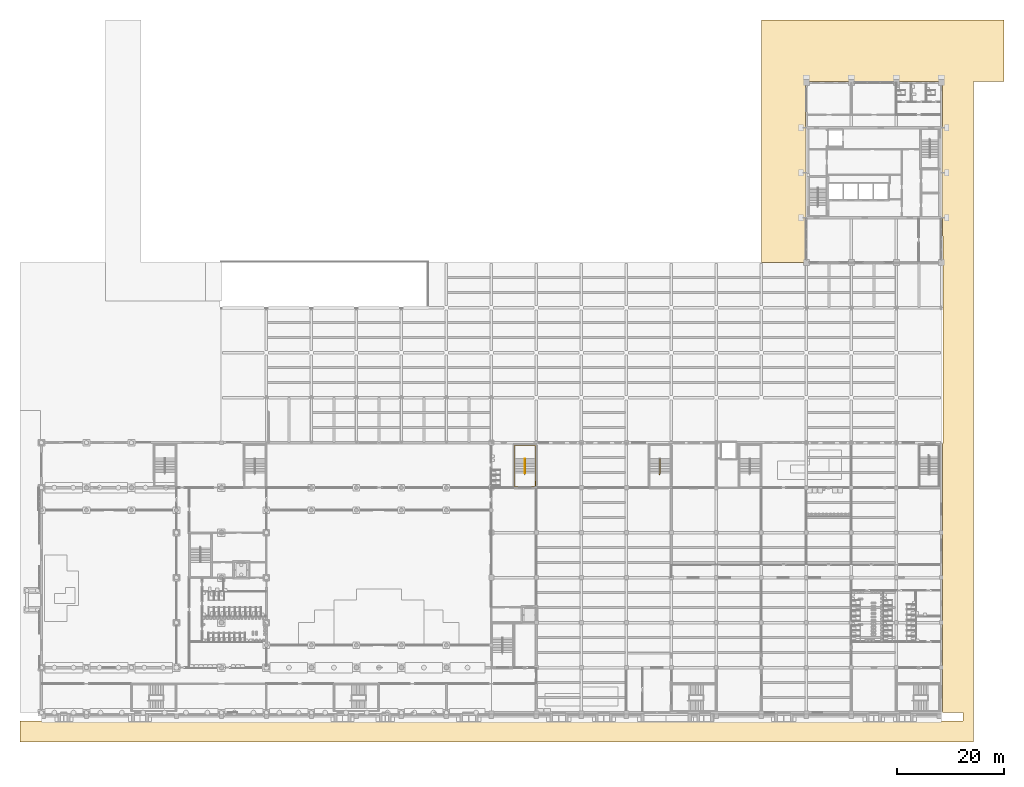
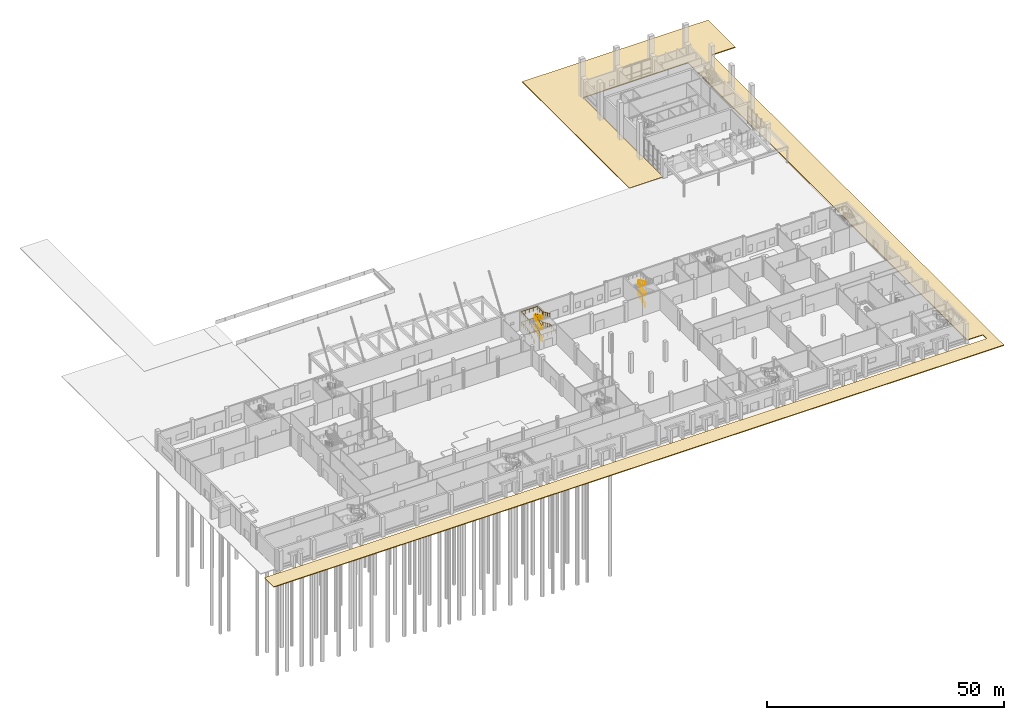
# One storey, part 64 of 74: 7 railings, 1 covering.
"""IFC4 building model written with IfcOpenShell, lengths in metres."""

from ifc_helpers import new_model, si_unit, direction, frame, origin, origin_2d, place, context, subcontext, project, spatial, polyline, circle, outline, extrude, material, layer, layer_set, type_object, element, save


model = new_model("IFC4")

# Units and contexts
model_context = context("Model", 3, precision=1e-05, world=origin(), true_north=direction((0.0, 1.0)))
body_context = subcontext(model_context, "Body", "Model", "MODEL_VIEW")
ifc_project = project(units=[si_unit("LENGTHUNIT", "METRE"), si_unit("AREAUNIT", "SQUARE_METRE"), si_unit("VOLUMEUNIT", "CUBIC_METRE"), si_unit("PLANEANGLEUNIT", "RADIAN"), si_unit("MASSUNIT", "GRAM", prefix="KILO")], contexts=[model_context])

# Site, building, storey
site_placement = place(None, origin())
site = spatial("IfcSite", under=ifc_project, at=site_placement, CompositionType="ELEMENT")
building_placement = place(site_placement, origin())
building = spatial("IfcBuilding", under=site, at=building_placement, Name="Rulbaag Community and Learning Centre", CompositionType="ELEMENT")
storey_placement = place(building_placement, origin())
storey = spatial("IfcBuildingStorey", under=building, at=storey_placement, Name="L00", CompositionType="ELEMENT", Elevation=0.0)

# Railings
ifc_material_1 = material(Name="Galvanised mild steel", Category="steel")
railing_type_1 = type_object("IfcRailingType", Name="GR-1100 GUARD 1100", PredefinedType="GUARDRAIL", material=ifc_material_1)
railing_1_placement = place(storey_placement, frame((90.280029296875, 44.71240234375, 0.135009765625)))
element("IfcRailing", 1, at=railing_1_placement, inside=storey, type_object=railing_type_1, Name="Guard SH6 L00 G", PredefinedType="GUARDRAIL", context=body_context, shape_type="SweptSolid", body=[
    extrude(circle(Radius=0.02490234375, at=origin_2d()), frame((0.0, 0.0, 1.0751953125), z_axis=(0.0, 0.911921505175, 0.410364677329), x_axis=(-1.0, 0.0, 0.0)), (0.0, 0.0, 1.0), 2.9609375),
    extrude(circle(Radius=0.02001953125, at=origin_2d()), origin(), (0.0, 0.0, 1.0), 1.050048828125),
    extrude(circle(Radius=0.02001953125, at=origin_2d()), frame((0.0, 0.900146484375, 0.405029296875)), (0.0, 0.0, 1.0), 1.050048828125),
    extrude(circle(Radius=0.02001953125, at=origin_2d()), frame((0.0, 1.800048828125, 0.81005859375)), (0.0, 0.0, 1.0), 1.050048828125),
    extrude(circle(Radius=0.02001953125, at=origin_2d()), frame((0.0, 2.7001953125, 1.215087890625)), (0.0, 0.0, 1.0), 1.050048828125),
    extrude(outline(polyline([(0.0, 0.0), (2.7001953125, 1.215087890625), (2.7001953125, 2.1650390625), (0.0, 0.949951171875), (0.0, 0.0)])), frame((-0.0048828125, 0.0, 0.10009765625), z_axis=(1.0, 0.0, 0.0), x_axis=(0.0, 1.0, 0.0)), (0.0, 0.0, 1.0), 0.010009765625),
])
railing_2_placement = place(storey_placement, frame((90.320068359375, 47.41259765625, 1.485107421875)))
element("IfcRailing", 2, at=railing_2_placement, inside=storey, type_object=railing_type_1, Name="Guard SH6 L00 G2", PredefinedType="GUARDRAIL", context=body_context, shape_type="SweptSolid", body=[
    extrude(circle(Radius=0.02490234375, at=origin_2d()), frame((0.0, 0.0, 1.0751953125), z_axis=(0.0, -0.91195235894, 0.410296106518), x_axis=(1.0, 0.0, 0.0)), (0.0, 0.0, 1.0), 2.9609375),
    extrude(circle(Radius=0.02001953125, at=origin_2d()), origin(), (0.0, 0.0, 1.0), 1.050048828125),
    extrude(circle(Radius=0.02001953125, at=origin_2d()), frame((0.0, -0.900146484375, 0.405029296875)), (0.0, 0.0, 1.0), 1.050048828125),
    extrude(circle(Radius=0.02001953125, at=origin_2d()), frame((0.0, -1.800048828125, 0.809814453125)), (0.0, 0.0, 1.0), 1.050048828125),
    extrude(circle(Radius=0.02001953125, at=origin_2d()), frame((0.0, -2.7001953125, 1.21484375)), (0.0, 0.0, 1.0), 1.050048828125),
    extrude(outline(polyline([(0.0, 0.0), (2.7001953125, 1.21484375), (2.7001953125, 2.164794921875), (0.0, 0.949951171875), (0.0, 0.0)])), frame((0.0048828125, 0.0, 0.10009765625), z_axis=(-1.0, 0.0, 0.0), x_axis=(0.0, -1.0, 0.0)), (0.0, 0.0, 1.0), 0.010009765625),
])
railing_3_placement = place(storey_placement, frame((90.280029296875, 44.71240234375, 2.8349609375)))
element("IfcRailing", 3, at=railing_3_placement, inside=storey, type_object=railing_type_1, Name="Guard SH6 L00 G3", PredefinedType="GUARDRAIL", context=body_context, shape_type="SweptSolid", body=[
    extrude(circle(Radius=0.02490234375, at=origin_2d()), frame((0.0, 0.0, 1.0751953125), z_axis=(0.0, 0.911921505175, 0.410364677329), x_axis=(-1.0, 0.0, 0.0)), (0.0, 0.0, 1.0), 2.9609375),
    extrude(circle(Radius=0.02001953125, at=origin_2d()), origin(), (0.0, 0.0, 1.0), 1.050048828125),
    extrude(circle(Radius=0.02001953125, at=origin_2d()), frame((0.0, 0.900146484375, 0.405029296875)), (0.0, 0.0, 1.0), 1.050048828125),
    extrude(circle(Radius=0.02001953125, at=origin_2d()), frame((0.0, 1.800048828125, 0.81005859375)), (0.0, 0.0, 1.0), 1.050048828125),
    extrude(circle(Radius=0.02001953125, at=origin_2d()), frame((0.0, 2.7001953125, 1.215087890625)), (0.0, 0.0, 1.0), 1.050048828125),
    extrude(outline(polyline([(0.0, 0.0), (2.7001953125, 1.215087890625), (2.7001953125, 2.1650390625), (0.0, 0.949951171875), (0.0, 0.0)])), frame((-0.0048828125, 0.0, 0.10009765625), z_axis=(1.0, 0.0, 0.0), x_axis=(0.0, 1.0, 0.0)), (0.0, 0.0, 1.0), 0.010009765625),
])
railing_4_placement = place(storey_placement, frame((90.320068359375, 47.41259765625, 4.18505859375)))
element("IfcRailing", 4, at=railing_4_placement, inside=storey, type_object=railing_type_1, Name="Guard SH6 L00 G4", PredefinedType="GUARDRAIL", context=body_context, shape_type="SweptSolid", body=[
    extrude(circle(Radius=0.02490234375, at=origin_2d()), frame((0.0, 0.0, 1.0751953125), z_axis=(0.0, -0.91195235894, 0.410296106518), x_axis=(1.0, 0.0, 0.0)), (0.0, 0.0, 1.0), 2.9609375),
    extrude(circle(Radius=0.02001953125, at=origin_2d()), origin(), (0.0, 0.0, 1.0), 1.050048828125),
    extrude(circle(Radius=0.02001953125, at=origin_2d()), frame((0.0, -0.900146484375, 0.405029296875)), (0.0, 0.0, 1.0), 1.050048828125),
    extrude(circle(Radius=0.02001953125, at=origin_2d()), frame((0.0, -1.800048828125, 0.809814453125)), (0.0, 0.0, 1.0), 1.050048828125),
    extrude(circle(Radius=0.02001953125, at=origin_2d()), frame((0.0, -2.7001953125, 1.21484375)), (0.0, 0.0, 1.0), 1.050048828125),
    extrude(outline(polyline([(0.0, 0.0), (2.7001953125, 1.21484375), (2.7001953125, 2.164794921875), (0.0, 0.949951171875), (0.0, 0.0)])), frame((0.0048828125, 0.0, 0.10009765625), z_axis=(-1.0, 0.0, 0.0), x_axis=(0.0, -1.0, 0.0)), (0.0, 0.0, 1.0), 0.010009765625),
])
ifc_material_2 = material(Name="Stainless steel grade 316", Category="steel")
railing_type_2 = type_object("IfcRailingType", Name="HR-900 HANDRAIL 900", PredefinedType="HANDRAIL", material=ifc_material_2)
railing_5_placement = place(storey_placement, frame((88.360107421875, 44.41259765625, 0.0)))
element("IfcRailing", 5, at=railing_5_placement, inside=storey, type_object=railing_type_2, Name="Handrail SH6 L00 O", PredefinedType="HANDRAIL", context=body_context, shape_type="SweptSolid", body=[
    extrude(circle(Radius=0.024169921875, at=origin_2d()), frame((0.0, 0.0, 0.875732421875), z_axis=(0.0, 0.911810325798, 0.41061165323), x_axis=(-1.0, 0.0, 0.0)), (0.0, 0.0, 1.0), 0.328857421875),
    extrude(circle(Radius=0.024169921875, at=origin_2d()), frame((0.0, 0.2998046875, 1.0107421875), z_axis=(0.0, 0.911921505175, 0.410364677329), x_axis=(-1.0, 0.0, 0.0)), (0.0, 0.0, 1.0), 2.9609375),
    extrude(circle(Radius=0.024169921875, at=origin_2d()), frame((0.0, 3.0, 2.225830078125), z_axis=(0.0, 1.0, 0.0), x_axis=(-1.0, 0.0, 0.0)), (0.0, 0.0, 1.0), 2.552490234375),
    extrude(circle(Radius=0.024169921875, at=origin_2d()), frame((0.0, 5.552490234375, 2.225830078125), z_axis=(1.0, 0.0, 0.0), x_axis=(0.0, 1.0, 0.0)), (0.0, 0.0, 1.0), 3.8798828125),
    extrude(circle(Radius=0.024169921875, at=origin_2d()), frame((3.8798828125, 5.552490234375, 2.225830078125), z_axis=(0.0, -1.0, 0.0), x_axis=(1.0, 0.0, 0.0)), (0.0, 0.0, 1.0), 2.252685546875),
    extrude(circle(Radius=0.024169921875, at=origin_2d()), frame((3.8798828125, 3.2998046875, 2.225830078125), z_axis=(0.0, -0.911810325798, 0.41061165323), x_axis=(1.0, 0.0, 0.0)), (0.0, 0.0, 1.0), 0.328857421875),
    extrude(circle(Radius=0.024169921875, at=origin_2d()), frame((3.8798828125, 3.0, 2.36083984375), z_axis=(0.0, -0.91195235894, 0.410296106518), x_axis=(1.0, 0.0, 0.0)), (0.0, 0.0, 1.0), 2.9609375),
    extrude(circle(Radius=0.024169921875, at=origin_2d()), frame((3.8798828125, 0.2998046875, 3.57568359375), z_axis=(0.0, -1.0, 0.0), x_axis=(1.0, 0.0, 0.0)), (0.0, 0.0, 1.0), 2.552490234375),
    extrude(circle(Radius=0.024169921875, at=origin_2d()), frame((3.8798828125, -2.252685546875, 3.57568359375), z_axis=(-1.0, 0.0, 0.0), x_axis=(0.0, -1.0, 0.0)), (0.0, 0.0, 1.0), 3.8798828125),
    extrude(circle(Radius=0.024169921875, at=origin_2d()), frame((0.0, -2.252685546875, 3.57568359375), z_axis=(0.0, 1.0, 0.0), x_axis=(-1.0, 0.0, 0.0)), (0.0, 0.0, 1.0), 2.252685546875),
    extrude(circle(Radius=0.024169921875, at=origin_2d()), frame((0.0, 0.0, 3.57568359375), z_axis=(0.0, 0.911810325798, 0.41061165323), x_axis=(-1.0, 0.0, 0.0)), (0.0, 0.0, 1.0), 0.328857421875),
    extrude(circle(Radius=0.024169921875, at=origin_2d()), frame((0.0, 0.2998046875, 3.710693359375), z_axis=(0.0, 0.911921505175, 0.410364677329), x_axis=(-1.0, 0.0, 0.0)), (0.0, 0.0, 1.0), 2.9609375),
    extrude(circle(Radius=0.024169921875, at=origin_2d()), frame((0.0, 3.0, 4.92578125), z_axis=(0.0, 1.0, 0.0), x_axis=(-1.0, 0.0, 0.0)), (0.0, 0.0, 1.0), 2.552490234375),
    extrude(circle(Radius=0.024169921875, at=origin_2d()), frame((0.0, 5.552490234375, 4.92578125), z_axis=(1.0, 0.0, 0.0), x_axis=(0.0, 1.0, 0.0)), (0.0, 0.0, 1.0), 3.8798828125),
    extrude(circle(Radius=0.024169921875, at=origin_2d()), frame((3.8798828125, 5.552490234375, 4.92578125), z_axis=(0.0, -1.0, 0.0), x_axis=(1.0, 0.0, 0.0)), (0.0, 0.0, 1.0), 2.252685546875),
    extrude(circle(Radius=0.024169921875, at=origin_2d()), frame((3.8798828125, 3.2998046875, 4.92578125), z_axis=(0.0, -0.911810325798, 0.41061165323), x_axis=(1.0, 0.0, 0.0)), (0.0, 0.0, 1.0), 0.328857421875),
    extrude(circle(Radius=0.024169921875, at=origin_2d()), frame((3.8798828125, 3.0, 5.060791015625), z_axis=(0.0, -0.91195235894, 0.410296106518), x_axis=(1.0, 0.0, 0.0)), (0.0, 0.0, 1.0), 2.9609375),
    extrude(circle(Radius=0.008056640625, at=origin_2d()), origin(), (0.0, 0.0, 1.0), 0.8515625),
    extrude(circle(Radius=0.008056640625, at=origin_2d()), frame((0.0, 0.2998046875, 0.135009765625)), (0.0, 0.0, 1.0), 0.8515625),
    extrude(circle(Radius=0.008056640625, at=origin_2d()), frame((0.0, 1.199951171875, 0.5400390625)), (0.0, 0.0, 1.0), 0.8515625),
    extrude(circle(Radius=0.008056640625, at=origin_2d()), frame((0.0, 2.099853515625, 0.945068359375)), (0.0, 0.0, 1.0), 0.8515625),
    extrude(circle(Radius=0.008056640625, at=origin_2d()), frame((0.0, 3.0, 1.35009765625)), (0.0, 0.0, 1.0), 0.8515625),
    extrude(circle(Radius=0.008056640625, at=origin_2d()), frame((0.0, 3.850830078125, 1.35009765625)), (0.0, 0.0, 1.0), 0.8515625),
    extrude(circle(Radius=0.008056640625, at=origin_2d()), frame((0.0, 4.70166015625, 1.35009765625)), (0.0, 0.0, 1.0), 0.8515625),
    extrude(circle(Radius=0.008056640625, at=origin_2d()), frame((0.0, 5.552490234375, 1.35009765625)), (0.0, 0.0, 1.0), 0.8515625),
    extrude(circle(Radius=0.008056640625, at=origin_2d()), frame((0.969970703125, 5.552490234375, 1.35009765625)), (0.0, 0.0, 1.0), 0.8515625),
    extrude(circle(Radius=0.008056640625, at=origin_2d()), frame((1.93994140625, 5.552490234375, 1.35009765625)), (0.0, 0.0, 1.0), 0.8515625),
    extrude(circle(Radius=0.008056640625, at=origin_2d()), frame((2.909912109375, 5.552490234375, 1.35009765625)), (0.0, 0.0, 1.0), 0.8515625),
    extrude(circle(Radius=0.008056640625, at=origin_2d()), frame((3.8798828125, 5.552490234375, 1.35009765625)), (0.0, 0.0, 1.0), 0.8515625),
    extrude(circle(Radius=0.008056640625, at=origin_2d()), frame((3.8798828125, 4.42626953125, 1.35009765625)), (0.0, 0.0, 1.0), 0.8515625),
    extrude(circle(Radius=0.008056640625, at=origin_2d()), frame((3.8798828125, 3.2998046875, 1.35009765625)), (0.0, 0.0, 1.0), 0.8515625),
    extrude(circle(Radius=0.008056640625, at=origin_2d()), frame((3.8798828125, 3.0, 1.485107421875)), (0.0, 0.0, 1.0), 0.8515625),
    extrude(circle(Radius=0.008056640625, at=origin_2d()), frame((3.8798828125, 2.099853515625, 1.89013671875)), (0.0, 0.0, 1.0), 0.8515625),
    extrude(circle(Radius=0.008056640625, at=origin_2d()), frame((3.8798828125, 1.199951171875, 2.294921875)), (0.0, 0.0, 1.0), 0.8515625),
    extrude(circle(Radius=0.008056640625, at=origin_2d()), frame((3.8798828125, 0.2998046875, 2.699951171875)), (0.0, 0.0, 1.0), 0.8515625),
    extrude(circle(Radius=0.008056640625, at=origin_2d()), frame((3.8798828125, -0.551025390625, 2.699951171875)), (0.0, 0.0, 1.0), 0.8515625),
    extrude(circle(Radius=0.008056640625, at=origin_2d()), frame((3.8798828125, -1.40185546875, 2.699951171875)), (0.0, 0.0, 1.0), 0.8515625),
    extrude(circle(Radius=0.008056640625, at=origin_2d()), frame((3.8798828125, -2.252685546875, 2.699951171875)), (0.0, 0.0, 1.0), 0.8515625),
    extrude(circle(Radius=0.008056640625, at=origin_2d()), frame((2.909912109375, -2.252685546875, 2.699951171875)), (0.0, 0.0, 1.0), 0.8515625),
    extrude(circle(Radius=0.008056640625, at=origin_2d()), frame((1.93994140625, -2.252685546875, 2.699951171875)), (0.0, 0.0, 1.0), 0.8515625),
    extrude(circle(Radius=0.008056640625, at=origin_2d()), frame((0.969970703125, -2.252685546875, 2.699951171875)), (0.0, 0.0, 1.0), 0.8515625),
    extrude(circle(Radius=0.008056640625, at=origin_2d()), frame((0.0, -2.252685546875, 2.699951171875)), (0.0, 0.0, 1.0), 0.8515625),
    extrude(circle(Radius=0.008056640625, at=origin_2d()), frame((0.0, -1.12646484375, 2.699951171875)), (0.0, 0.0, 1.0), 0.8515625),
    extrude(circle(Radius=0.008056640625, at=origin_2d()), frame((0.0, 0.0, 2.699951171875)), (0.0, 0.0, 1.0), 0.8515625),
    extrude(circle(Radius=0.008056640625, at=origin_2d()), frame((0.0, 0.2998046875, 2.8349609375)), (0.0, 0.0, 1.0), 0.8515625),
    extrude(circle(Radius=0.008056640625, at=origin_2d()), frame((0.0, 1.199951171875, 3.239990234375)), (0.0, 0.0, 1.0), 0.8515625),
    extrude(circle(Radius=0.008056640625, at=origin_2d()), frame((0.0, 2.099853515625, 3.64501953125)), (0.0, 0.0, 1.0), 0.8515625),
    extrude(circle(Radius=0.008056640625, at=origin_2d()), frame((0.0, 3.0, 4.050048828125)), (0.0, 0.0, 1.0), 0.8515625),
    extrude(circle(Radius=0.008056640625, at=origin_2d()), frame((0.0, 3.850830078125, 4.050048828125)), (0.0, 0.0, 1.0), 0.8515625),
    extrude(circle(Radius=0.008056640625, at=origin_2d()), frame((0.0, 4.70166015625, 4.050048828125)), (0.0, 0.0, 1.0), 0.8515625),
    extrude(circle(Radius=0.008056640625, at=origin_2d()), frame((0.0, 5.552490234375, 4.050048828125)), (0.0, 0.0, 1.0), 0.8515625),
    extrude(circle(Radius=0.008056640625, at=origin_2d()), frame((0.969970703125, 5.552490234375, 4.050048828125)), (0.0, 0.0, 1.0), 0.8515625),
    extrude(circle(Radius=0.008056640625, at=origin_2d()), frame((1.93994140625, 5.552490234375, 4.050048828125)), (0.0, 0.0, 1.0), 0.8515625),
    extrude(circle(Radius=0.008056640625, at=origin_2d()), frame((2.909912109375, 5.552490234375, 4.050048828125)), (0.0, 0.0, 1.0), 0.8515625),
    extrude(circle(Radius=0.008056640625, at=origin_2d()), frame((3.8798828125, 5.552490234375, 4.050048828125)), (0.0, 0.0, 1.0), 0.8515625),
    extrude(circle(Radius=0.008056640625, at=origin_2d()), frame((3.8798828125, 4.42626953125, 4.050048828125)), (0.0, 0.0, 1.0), 0.8515625),
    extrude(circle(Radius=0.008056640625, at=origin_2d()), frame((3.8798828125, 3.2998046875, 4.050048828125)), (0.0, 0.0, 1.0), 0.8515625),
    extrude(circle(Radius=0.008056640625, at=origin_2d()), frame((3.8798828125, 3.0, 4.18505859375)), (0.0, 0.0, 1.0), 0.8515625),
    extrude(circle(Radius=0.008056640625, at=origin_2d()), frame((3.8798828125, 2.099853515625, 4.590087890625)), (0.0, 0.0, 1.0), 0.8515625),
    extrude(circle(Radius=0.008056640625, at=origin_2d()), frame((3.8798828125, 1.199951171875, 4.994873046875)), (0.0, 0.0, 1.0), 0.8515625),
    extrude(circle(Radius=0.008056640625, at=origin_2d()), frame((3.8798828125, 0.2998046875, 5.39990234375)), (0.0, 0.0, 1.0), 0.8515625),
])
railing_6_placement = place(storey_placement, frame((90.2099609375, 44.41259765625, 0.0)))
element("IfcRailing", 6, at=railing_6_placement, inside=storey, type_object=railing_type_2, Name="Handrail SH6 L00 I", PredefinedType="HANDRAIL", context=body_context, shape_type="SweptSolid", body=[
    extrude(circle(Radius=0.024169921875, at=origin_2d()), frame((0.0, 0.0, 0.875732421875), z_axis=(0.0, 0.911810325798, 0.41061165323), x_axis=(-1.0, 0.0, 0.0)), (0.0, 0.0, 1.0), 0.328857421875),
    extrude(circle(Radius=0.024169921875, at=origin_2d()), frame((0.0, 0.2998046875, 1.0107421875), z_axis=(0.0, 0.911921505175, 0.410364677329), x_axis=(-1.0, 0.0, 0.0)), (0.0, 0.0, 1.0), 2.9609375),
    extrude(circle(Radius=0.024169921875, at=origin_2d()), frame((0.0, 3.0, 2.225830078125), z_axis=(0.79986974456, 0.0, 0.600173634657), x_axis=(0.0, 1.0, 0.0)), (0.0, 0.0, 1.0), 0.224853515625),
    extrude(circle(Radius=0.024169921875, at=origin_2d()), frame((0.179931640625, 3.0, 2.36083984375), z_axis=(0.0, -0.91195235894, 0.410296106518), x_axis=(1.0, 0.0, 0.0)), (0.0, 0.0, 1.0), 2.9609375),
    extrude(circle(Radius=0.024169921875, at=origin_2d()), frame((0.179931640625, 0.2998046875, 3.57568359375), z_axis=(-0.79986974456, 0.0, 0.600173634657), x_axis=(0.0, -1.0, 0.0)), (0.0, 0.0, 1.0), 0.224853515625),
    extrude(circle(Radius=0.024169921875, at=origin_2d()), frame((0.0, 0.2998046875, 3.710693359375), z_axis=(0.0, 0.911921505175, 0.410364677329), x_axis=(-1.0, 0.0, 0.0)), (0.0, 0.0, 1.0), 2.9609375),
    extrude(circle(Radius=0.024169921875, at=origin_2d()), frame((0.0, 3.0, 4.92578125), z_axis=(0.79986974456, 0.0, 0.600173634657), x_axis=(0.0, 1.0, 0.0)), (0.0, 0.0, 1.0), 0.224853515625),
    extrude(circle(Radius=0.024169921875, at=origin_2d()), frame((0.179931640625, 3.0, 5.060791015625), z_axis=(0.0, -0.91195235894, 0.410296106518), x_axis=(1.0, 0.0, 0.0)), (0.0, 0.0, 1.0), 2.9609375),
    extrude(circle(Radius=0.008056640625, at=origin_2d()), origin(), (0.0, 0.0, 1.0), 0.8515625),
    extrude(circle(Radius=0.008056640625, at=origin_2d()), frame((0.0, 0.2998046875, 0.135009765625)), (0.0, 0.0, 1.0), 0.8515625),
    extrude(circle(Radius=0.008056640625, at=origin_2d()), frame((0.0, 1.199951171875, 0.5400390625)), (0.0, 0.0, 1.0), 0.8515625),
    extrude(circle(Radius=0.008056640625, at=origin_2d()), frame((0.0, 2.099853515625, 0.945068359375)), (0.0, 0.0, 1.0), 0.8515625),
    extrude(circle(Radius=0.008056640625, at=origin_2d()), frame((0.0, 3.0, 1.35009765625)), (0.0, 0.0, 1.0), 0.8515625),
    extrude(circle(Radius=0.008056640625, at=origin_2d()), frame((0.179931640625, 3.0, 1.485107421875)), (0.0, 0.0, 1.0), 0.8515625),
    extrude(circle(Radius=0.008056640625, at=origin_2d()), frame((0.179931640625, 2.099853515625, 1.89013671875)), (0.0, 0.0, 1.0), 0.8515625),
    extrude(circle(Radius=0.008056640625, at=origin_2d()), frame((0.179931640625, 1.199951171875, 2.294921875)), (0.0, 0.0, 1.0), 0.8515625),
    extrude(circle(Radius=0.008056640625, at=origin_2d()), frame((0.179931640625, 0.2998046875, 2.699951171875)), (0.0, 0.0, 1.0), 0.8515625),
    extrude(circle(Radius=0.008056640625, at=origin_2d()), frame((0.0, 0.2998046875, 2.8349609375)), (0.0, 0.0, 1.0), 0.8515625),
    extrude(circle(Radius=0.008056640625, at=origin_2d()), frame((0.0, 1.199951171875, 3.239990234375)), (0.0, 0.0, 1.0), 0.8515625),
    extrude(circle(Radius=0.008056640625, at=origin_2d()), frame((0.0, 2.099853515625, 3.64501953125)), (0.0, 0.0, 1.0), 0.8515625),
    extrude(circle(Radius=0.008056640625, at=origin_2d()), frame((0.0, 3.0, 4.050048828125)), (0.0, 0.0, 1.0), 0.8515625),
    extrude(circle(Radius=0.008056640625, at=origin_2d()), frame((0.179931640625, 3.0, 4.18505859375)), (0.0, 0.0, 1.0), 0.8515625),
    extrude(circle(Radius=0.008056640625, at=origin_2d()), frame((0.179931640625, 2.099853515625, 4.590087890625)), (0.0, 0.0, 1.0), 0.8515625),
    extrude(circle(Radius=0.008056640625, at=origin_2d()), frame((0.179931640625, 1.199951171875, 4.994873046875)), (0.0, 0.0, 1.0), 0.8515625),
    extrude(circle(Radius=0.008056640625, at=origin_2d()), frame((0.179931640625, 0.2998046875, 5.39990234375)), (0.0, 0.0, 1.0), 0.8515625),
])
railing_7_placement = place(storey_placement, frame((115.409912109375, 44.41259765625, 0.0)))
element("IfcRailing", 7, at=railing_7_placement, inside=storey, type_object=railing_type_2, Name="Handrail SH7 L00 I", PredefinedType="HANDRAIL", context=body_context, shape_type="SweptSolid", body=[
    extrude(circle(Radius=0.024169921875, at=origin_2d()), frame((0.0, 0.0, 0.875732421875), z_axis=(0.0, 0.911810325798, 0.41061165323), x_axis=(-1.0, 0.0, 0.0)), (0.0, 0.0, 1.0), 0.328857421875),
    extrude(circle(Radius=0.024169921875, at=origin_2d()), frame((0.0, 0.2998046875, 1.0107421875), z_axis=(0.0, 0.911921505175, 0.410364677329), x_axis=(-1.0, 0.0, 0.0)), (0.0, 0.0, 1.0), 2.9609375),
    extrude(circle(Radius=0.024169921875, at=origin_2d()), frame((0.0, 3.0, 2.225830078125), z_axis=(0.800260171956, 0.0, 0.599652947279), x_axis=(0.0, 1.0, 0.0)), (0.0, 0.0, 1.0), 0.22509765625),
    extrude(circle(Radius=0.024169921875, at=origin_2d()), frame((0.18017578125, 3.0, 2.36083984375), z_axis=(0.0, -0.91195235894, 0.410296106518), x_axis=(1.0, 0.0, 0.0)), (0.0, 0.0, 1.0), 2.9609375),
    extrude(circle(Radius=0.024169921875, at=origin_2d()), frame((0.18017578125, 0.2998046875, 3.57568359375), z_axis=(-0.800260171956, 0.0, 0.599652947279), x_axis=(0.0, -1.0, 0.0)), (0.0, 0.0, 1.0), 0.22509765625),
    extrude(circle(Radius=0.024169921875, at=origin_2d()), frame((0.0, 0.2998046875, 3.710693359375), z_axis=(0.0, 0.911921505175, 0.410364677329), x_axis=(-1.0, 0.0, 0.0)), (0.0, 0.0, 1.0), 2.9609375),
    extrude(circle(Radius=0.024169921875, at=origin_2d()), frame((0.0, 3.0, 4.92578125), z_axis=(0.800260171956, 0.0, 0.599652947279), x_axis=(0.0, 1.0, 0.0)), (0.0, 0.0, 1.0), 0.22509765625),
    extrude(circle(Radius=0.024169921875, at=origin_2d()), frame((0.18017578125, 3.0, 5.060791015625), z_axis=(0.0, -0.91195235894, 0.410296106518), x_axis=(1.0, 0.0, 0.0)), (0.0, 0.0, 1.0), 2.9609375),
    extrude(circle(Radius=0.008056640625, at=origin_2d()), origin(), (0.0, 0.0, 1.0), 0.8515625),
    extrude(circle(Radius=0.008056640625, at=origin_2d()), frame((0.0, 0.2998046875, 0.135009765625)), (0.0, 0.0, 1.0), 0.8515625),
    extrude(circle(Radius=0.008056640625, at=origin_2d()), frame((0.0, 1.199951171875, 0.5400390625)), (0.0, 0.0, 1.0), 0.8515625),
    extrude(circle(Radius=0.008056640625, at=origin_2d()), frame((0.0, 2.099853515625, 0.945068359375)), (0.0, 0.0, 1.0), 0.8515625),
    extrude(circle(Radius=0.008056640625, at=origin_2d()), frame((0.0, 3.0, 1.35009765625)), (0.0, 0.0, 1.0), 0.8515625),
    extrude(circle(Radius=0.008056640625, at=origin_2d()), frame((0.18017578125, 3.0, 1.485107421875)), (0.0, 0.0, 1.0), 0.8515625),
    extrude(circle(Radius=0.008056640625, at=origin_2d()), frame((0.18017578125, 2.099853515625, 1.89013671875)), (0.0, 0.0, 1.0), 0.8515625),
    extrude(circle(Radius=0.008056640625, at=origin_2d()), frame((0.18017578125, 1.199951171875, 2.294921875)), (0.0, 0.0, 1.0), 0.8515625),
    extrude(circle(Radius=0.008056640625, at=origin_2d()), frame((0.18017578125, 0.2998046875, 2.699951171875)), (0.0, 0.0, 1.0), 0.8515625),
    extrude(circle(Radius=0.008056640625, at=origin_2d()), frame((0.0, 0.2998046875, 2.8349609375)), (0.0, 0.0, 1.0), 0.8515625),
    extrude(circle(Radius=0.008056640625, at=origin_2d()), frame((0.0, 1.199951171875, 3.239990234375)), (0.0, 0.0, 1.0), 0.8515625),
    extrude(circle(Radius=0.008056640625, at=origin_2d()), frame((0.0, 2.099853515625, 3.64501953125)), (0.0, 0.0, 1.0), 0.8515625),
    extrude(circle(Radius=0.008056640625, at=origin_2d()), frame((0.0, 3.0, 4.050048828125)), (0.0, 0.0, 1.0), 0.8515625),
    extrude(circle(Radius=0.008056640625, at=origin_2d()), frame((0.18017578125, 3.0, 4.18505859375)), (0.0, 0.0, 1.0), 0.8515625),
    extrude(circle(Radius=0.008056640625, at=origin_2d()), frame((0.18017578125, 2.099853515625, 4.590087890625)), (0.0, 0.0, 1.0), 0.8515625),
    extrude(circle(Radius=0.008056640625, at=origin_2d()), frame((0.18017578125, 1.199951171875, 4.994873046875)), (0.0, 0.0, 1.0), 0.8515625),
    extrude(circle(Radius=0.008056640625, at=origin_2d()), frame((0.18017578125, 0.2998046875, 5.39990234375)), (0.0, 0.0, 1.0), 0.8515625),
])

# Covering
ifc_material_3 = material(Name="Concrete M30", Category="concrete")
ifc_layer = layer(ifc_material_3, 0.199951171875)
ifc_layer_set = layer_set([ifc_layer], Name="PV-200")
covering_type = type_object("IfcCoveringType", Name="PV-200", PredefinedType="USERDEFINED", material=ifc_layer_set)
covering_placement = place(storey_placement, frame((0.0, 0.0, -0.199951171875)))
element("IfcCovering", 8, at=covering_placement, inside=storey, type_object=covering_type, Name="External paving", ObjectType="ROADWAY", PredefinedType="USERDEFINED", context=body_context, shape_type="SweptSolid", body=[
    extrude(outline(polyline([(-4.0, -1.60009765625), (172.0, -1.60009765625), (172.0, 0.0), (168.199951171875, 0.0), (168.199951171875, 50.177001953125), (168.2119140625, 50.18798828125), (168.23193359375, 50.2099609375), (168.2490234375, 50.23291015625), (168.264892578125, 50.259033203125), (168.277099609375, 50.284912109375), (168.287109375, 50.31298828125), (168.2939453125, 50.341064453125), (168.299072265625, 50.37109375), (168.300048828125, 50.39990234375), (168.300048828125, 88.800048828125), (168.299072265625, 88.8291015625), (168.2939453125, 88.85888671875), (168.287109375, 88.886962890625), (168.277099609375, 88.9150390625), (168.264892578125, 88.94091796875), (168.2490234375, 88.967041015625), (168.23193359375, 88.989990234375), (168.2119140625, 89.011962890625), (168.199951171875, 89.02294921875), (168.199951171875, 117.60009765625), (168.199951171875, 117.800048828125), (168.0, 117.800048828125), (142.800048828125, 117.800048828125), (142.60009765625, 117.800048828125), (142.60009765625, 117.60009765625), (142.60009765625, 84.050048828125), (134.39990234375, 84.050048828125), (134.39990234375, 117.800048828125), (134.39990234375, 123.0), (134.39990234375, 129.300048828125), (179.699951171875, 129.300048828125), (179.699951171875, 117.800048828125), (174.0, 117.800048828125), (174.0, -5.5), (172.0, -5.5), (168.199951171875, -5.5), (-0.199951171875, -5.5), (-4.0, -5.5), (-4.0, -1.60009765625)])), origin(), (0.0, 0.0, 1.0), 0.199951171875),
])

save(model, "model.ifc")
